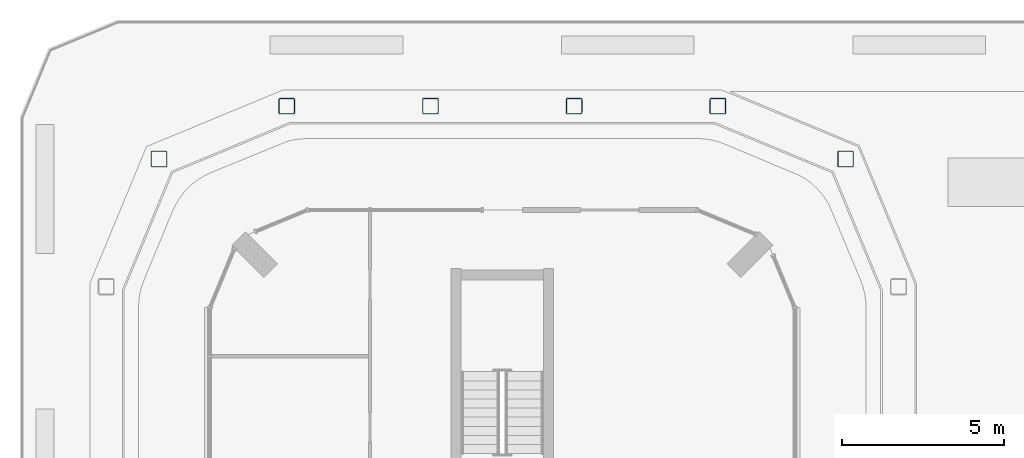
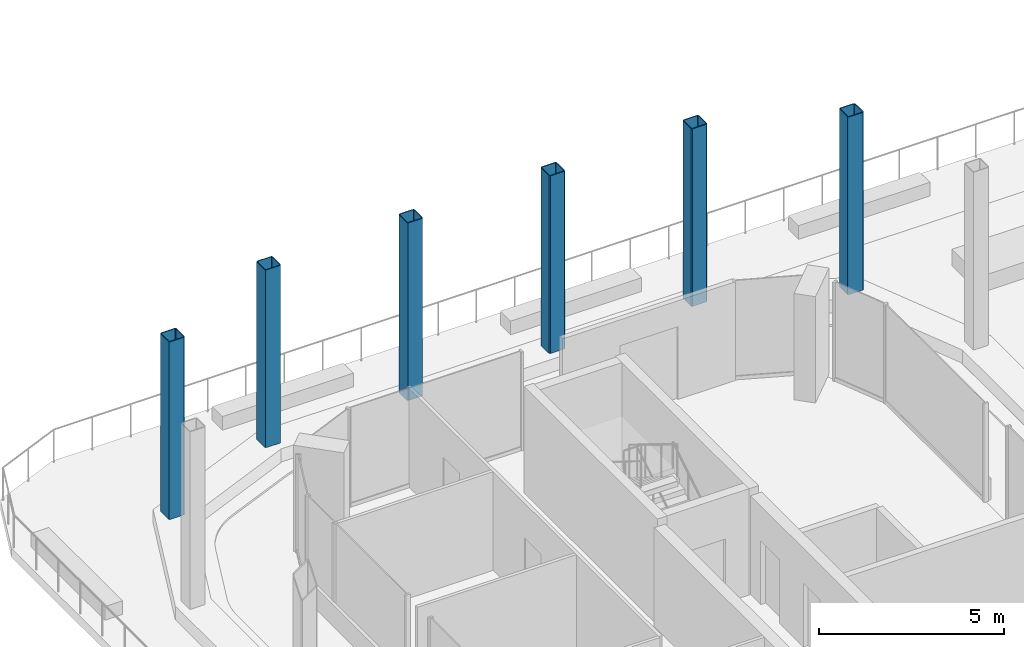
# One storey, part 5 of 33: 6 columns.
"""IFC4 building model written with IfcOpenShell, lengths in metres."""

from ifc_helpers import new_model, si_unit, direction, frame, origin, origin_2d, place, context, subcontext, project, spatial, hollow_rectangle, extrude, material, material_profile, profile_set, type_object, element, save


model = new_model("IFC4")

# Units and contexts
model_context = context("Model", 3, precision=1e-05, world=origin(), true_north=direction((0.0, 1.0)))
body_context = subcontext(model_context, "Body", "Model", "MODEL_VIEW")
ifc_project = project(units=[si_unit("LENGTHUNIT", "METRE"), si_unit("AREAUNIT", "SQUARE_METRE"), si_unit("VOLUMEUNIT", "CUBIC_METRE"), si_unit("PLANEANGLEUNIT", "RADIAN"), si_unit("MASSUNIT", "GRAM", prefix="KILO")], contexts=[model_context])

# Site, building, storey
site_placement = place(None, origin())
site = spatial("IfcSite", under=ifc_project, at=site_placement, CompositionType="ELEMENT")
building_placement = place(site_placement, origin())
building = spatial("IfcBuilding", under=site, at=building_placement, Name="Plateau Cross Towers", CompositionType="ELEMENT")
storey_placement = place(building_placement, frame((0.0, 0.0, 26.800048828125)))
storey = spatial("IfcBuildingStorey", under=building, at=storey_placement, Name="L05", CompositionType="ELEMENT", Elevation=26.800048828125)

# Columns
ifc_material = material(Name="Steel S355", Category="steel")
ifc_material_profile = material_profile(ifc_material, hollow_rectangle(XDim=0.5, YDim=0.5, WallThickness=0.02490234375, InnerFilletRadius=0.02490234375, OuterFilletRadius=0.050048828125, at=origin_2d()), Name="SHS 500x500x25")
ifc_profile_set = profile_set([ifc_material_profile], Name="Steel S355")
column_type = type_object("IfcColumnType", Name="Plinth column SHS 500x500x25", PredefinedType="COLUMN", material=ifc_profile_set)
for number, where, z_axis, x_axis, name in (
    (1, (-1.570556640625, 55.570556640625, 0.449951171875), (0.0, 0.0, 1.0), (1.0, 0.0, 0.0), "Plinth column 31"),
    (2, (2.363525390625, 57.199951171875, 0.449951171875), (0.0, 0.0, 1.0), (1.0, 0.0, 0.0), "Plinth column 32"),
    (3, (6.787841796875, 57.199951171875, 0.449951171875), (0.0, 0.0, 1.0), (1.0, 0.0, 0.0), "Plinth column 33"),
    (4, (11.212158203125, 57.199951171875, 0.449951171875), (0.0, 0.0, 1.0), (1.0, 0.0, 0.0), "Plinth column 34"),
    (5, (15.636474609375, 57.199951171875, 0.449951171875), (0.0, 0.0, 1.0), (1.0, 0.0, 0.0), "Plinth column 35"),
    (6, (19.570556640625, 55.570556640625, 0.449951171875), (0.0, 0.0, 1.0), (1.0, 0.0, 0.0), "Plinth column 36"),
):
    element("IfcColumn", number, at=place(storey_placement, frame(where, z_axis=z_axis, x_axis=x_axis)), inside=storey, type_object=column_type, Name=name, PredefinedType="COLUMN", context=body_context, shape_type="SweptSolid", body=[
        extrude(hollow_rectangle(XDim=0.5, YDim=0.5, WallThickness=0.02490234375, InnerFilletRadius=0.02490234375, OuterFilletRadius=0.050048828125, at=origin_2d()), origin(), (0.0, 0.0, 1.0), 5.85009765625),
    ])

save(model, "model.ifc")
